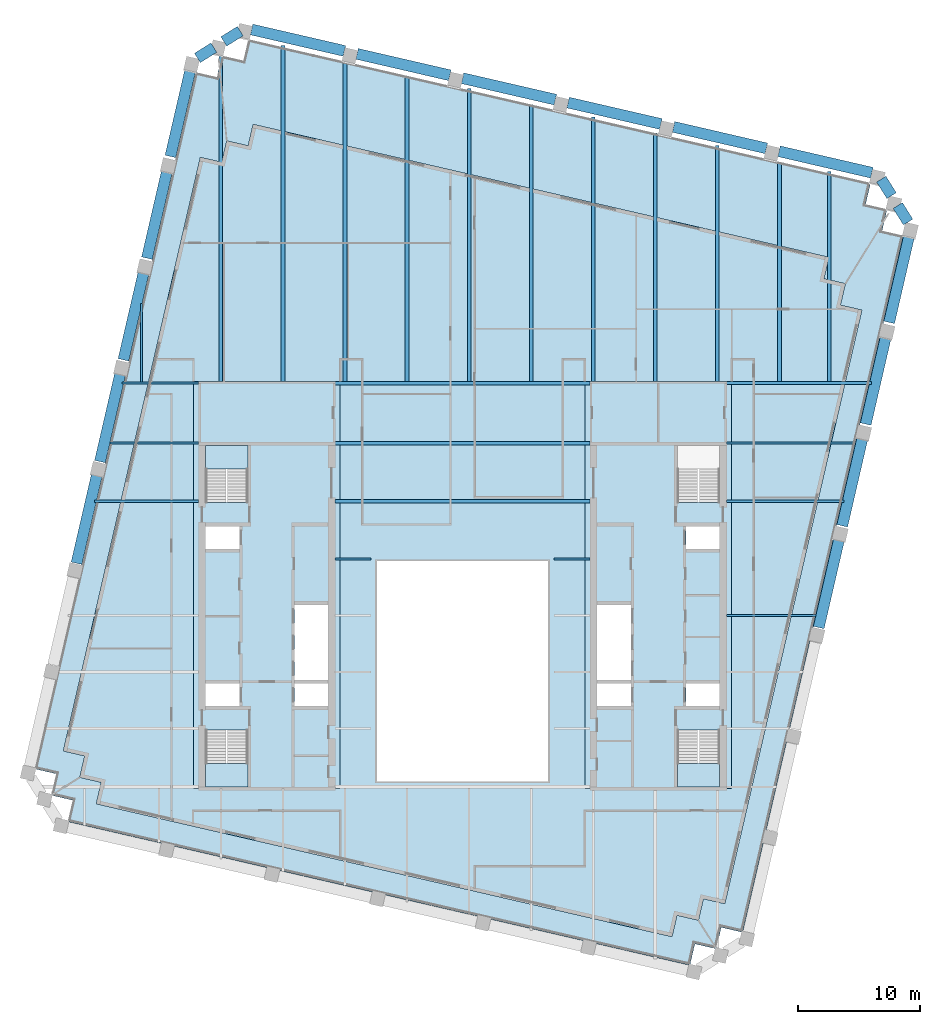
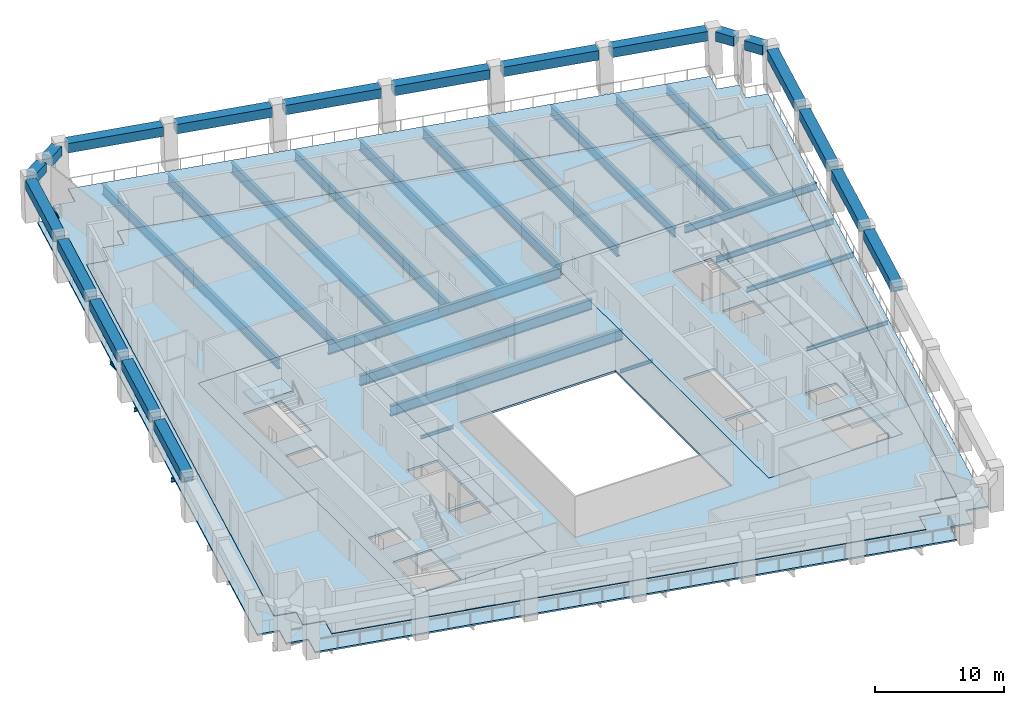
# One storey, part 2 of 10: 43 beams, 7 slabs, 3 elements without a shape of their own.
"""IFC4 building model written with IfcOpenShell, lengths in metres."""

import ifcopenshell
import ifcopenshell.guid

model = None  # the IFC model being written
_history = None  # IfcOwnerHistory: only IFC2X3 demands one
_inside = {}  # id of a spatial element -> (the spatial element, [elements in it])
_under = {}  # id of a project, library or spatial element -> (it, [spatial elements below it])
_declared = {}  # id of a project -> (the project, [libraries it declares])
_typed = {}  # id of a type object -> (the type object, [elements of that type])
_made_of = {}  # id of a material, layer set ... -> (it, [elements and type objects made of it])


def new_model(schema):
    """Start an empty IFC model of exactly this schema.

    Asked for "IFC4X3", IfcOpenShell would pick the latest addendum, in which some entities
    have other attributes; the version numbers below select the first issue.
    IFC2X3 requires an IfcOwnerHistory on every rooted entity: one is made here for all.
    """
    global model, _history
    if schema == "IFC4X3":
        model = ifcopenshell.file(schema_version=(4, 3, 0, 0))
    else:
        model = ifcopenshell.file(schema=schema)
    _inside.clear()
    _under.clear()
    _declared.clear()
    _typed.clear()
    _made_of.clear()
    _history = None
    if model.schema == "IFC2X3":
        org = make("IfcOrganization", Name="unknown")
        user = make(
            "IfcPersonAndOrganization",
            ThePerson=make("IfcPerson", FamilyName="unknown"),
            TheOrganization=org,
        )
        app = make(
            "IfcApplication",
            ApplicationDeveloper=org,
            Version="unknown",
            ApplicationFullName="unknown",
            ApplicationIdentifier="unknown",
        )
        _history = make(
            "IfcOwnerHistory",
            OwningUser=user,
            OwningApplication=app,
            ChangeAction="ADDED",
            CreationDate=0,
        )
    return model


def make(cls, **values):
    """One entity of the class cls with the attributes given. An attribute that is None is left unset."""
    return model.create_entity(
        cls, **{name: value for name, value in values.items() if value is not None}
    )


def rooted(cls, **values):
    """An entity with a GlobalId (a new one), such as an element, a storey or a relation."""
    return make(cls, GlobalId=ifcopenshell.guid.new(), OwnerHistory=_history, **values)


def si_unit(unit_type, name, prefix=None):
    """IfcSIUnit, for example si_unit("LENGTHUNIT", "METRE", prefix="MILLI")."""
    return make("IfcSIUnit", UnitType=unit_type, Prefix=prefix, Name=name)


def assignment(units):
    """IfcUnitAssignment: the units of a project."""
    return None if units is None else make("IfcUnitAssignment", Units=units)


def point(xyz):
    """IfcCartesianPoint."""
    return None if xyz is None else make("IfcCartesianPoint", Coordinates=xyz)


def direction(xyz):
    """IfcDirection."""
    return None if xyz is None else make("IfcDirection", DirectionRatios=xyz)


def frame(location, z_axis=None, x_axis=None):
    """IfcAxis2Placement3D, a coordinate frame: its origin and axes. An axis left out is left unset."""
    return make(
        "IfcAxis2Placement3D",
        Location=point(location),
        Axis=direction(z_axis),
        RefDirection=direction(x_axis),
    )


def frame_2d(location, x_axis=None):
    """IfcAxis2Placement2D, a coordinate frame in the plane: its origin and x axis."""
    return make(
        "IfcAxis2Placement2D", Location=point(location), RefDirection=direction(x_axis)
    )


def origin():
    """The frame at (0, 0, 0) with its axes left unset."""
    return frame((0.0, 0.0, 0.0))


def origin_2d():
    """The frame at (0, 0) in the plane with its x axis left unset."""
    return frame_2d((0.0, 0.0))


def place(relative_to, where):
    """IfcLocalPlacement: puts the frame where relative to a parent placement (None: the world)."""
    return make(
        "IfcLocalPlacement", PlacementRelTo=relative_to, RelativePlacement=where
    )


def context(
    kind, dimensions, precision=None, world=None, true_north=None, identifier=None
):
    """IfcGeometricRepresentationContext, for example the 3D "Model" context."""
    return make(
        "IfcGeometricRepresentationContext",
        ContextIdentifier=identifier,
        ContextType=kind,
        CoordinateSpaceDimension=dimensions,
        Precision=precision,
        WorldCoordinateSystem=world,
        TrueNorth=true_north,
    )


def subcontext(parent, identifier, kind, view, scale=None):
    """IfcGeometricRepresentationSubContext, for example "Body" below "Model"."""
    return make(
        "IfcGeometricRepresentationSubContext",
        ContextIdentifier=identifier,
        ContextType=kind,
        ParentContext=parent,
        TargetScale=scale,
        TargetView=view,
    )


def project(units=None, contexts=None):
    """IfcProject with its units and contexts."""
    return rooted(
        "IfcProject",
        Name="project",
        RepresentationContexts=contexts,
        UnitsInContext=assignment(units),
    )


def spatial(cls, under=None, at=None, **own):
    """A site, building, storey or space (cls), placed at a placement, below another one or the project."""
    s = rooted(cls, ObjectPlacement=at, **own)
    if under is not None:
        _under.setdefault(under.id(), (under, []))[1].append(s)
    return s


def polyline(points):
    """IfcPolyline through the points."""
    return make("IfcPolyline", Points=[point(p) for p in points])


def profile(cls, at=None, kind="AREA", **sizes):
    """A parametric profile (cls). Its sizes go by their IFC names, for example OverallWidth=200.0."""
    return make(cls, ProfileType=kind, Position=at, **sizes)


def rectangle(**sizes):
    """IfcRectangleProfileDef."""
    return profile("IfcRectangleProfileDef", **sizes)


def i_section(**sizes):
    """IfcIShapeProfileDef."""
    return profile("IfcIShapeProfileDef", **sizes)


def outline(outer, holes=None, kind="AREA"):
    """IfcArbitraryClosedProfileDef: a profile drawn as a closed curve; with holes, ...WithVoids."""
    if holes is None:
        return make("IfcArbitraryClosedProfileDef", ProfileType=kind, OuterCurve=outer)
    return make(
        "IfcArbitraryProfileDefWithVoids",
        ProfileType=kind,
        OuterCurve=outer,
        InnerCurves=holes,
    )


def extrude(swept, where, along, depth):
    """IfcExtrudedAreaSolid: the profile swept, set in the frame where, extruded along a direction by depth."""
    return make(
        "IfcExtrudedAreaSolid",
        SweptArea=swept,
        Position=where,
        ExtrudedDirection=direction(along),
        Depth=depth,
    )


def shape(context_of_items, identifier, shape_type, items):
    """IfcShapeRepresentation: the items that make up one representation, for example the "Body"."""
    return make(
        "IfcShapeRepresentation",
        ContextOfItems=context_of_items,
        RepresentationIdentifier=identifier,
        RepresentationType=shape_type,
        Items=items,
    )


def material(Name=None, Category=None):
    """IfcMaterial."""
    return make("IfcMaterial", Name=Name, Category=Category)


def layer(
    of_material, thickness, ventilated=None, Name=None, Category=None, Priority=None
):
    """IfcMaterialLayer: one layer of a wall or slab, of a material (None: an air gap)."""
    return make(
        "IfcMaterialLayer",
        Material=of_material,
        LayerThickness=thickness,
        IsVentilated=ventilated,
        Name=Name,
        Category=Category,
        Priority=Priority,
    )


def layer_set(layers, Name=None):
    """IfcMaterialLayerSet."""
    return make("IfcMaterialLayerSet", MaterialLayers=layers, LayerSetName=Name)


def material_profile(
    of_material, cross_section, Name=None, Category=None, Priority=None
):
    """IfcMaterialProfile: a cross section and its material."""
    return make(
        "IfcMaterialProfile",
        Name=Name,
        Material=of_material,
        Profile=cross_section,
        Priority=Priority,
        Category=Category,
    )


def profile_set(profiles, Name=None, composite=None):
    """IfcMaterialProfileSet."""
    return make(
        "IfcMaterialProfileSet",
        Name=Name,
        MaterialProfiles=profiles,
        CompositeProfile=composite,
    )


def made_of(thing, what):
    """Note that an element or type object is made of a material, layer set ...; save() writes the relation."""
    if what is not None:
        _made_of.setdefault(what.id(), (what, []))[1].append(thing)
    return thing


def type_object(cls, material=None, **own):
    """A type object (cls), such as IfcWallType, which elements share."""
    return made_of(rooted(cls, **own), material)


def element(
    cls,
    number,
    at=None,
    inside=None,
    cuts=None,
    type_object=None,
    material=None,
    context=None,
    identifier="Body",
    shape_type=None,
    held_by="IfcProductDefinitionShape",
    body=None,
    shapes=None,
    **own,
):
    """One element of the class cls, such as IfcWall. Its Tag is "e" and its number.

    at: its placement. inside: the storey or other place that contains it. cuts: it is an
    opening in that element (IfcRelVoidsElement). A single representation is given by context,
    identifier, shape_type and body (its items); several are given by shapes. held_by: the class
    of the entity that holds the representations. save() writes the other relations.
    """
    e = rooted(cls, Tag="e%d" % number, ObjectPlacement=at, **own)
    if body is not None:
        shapes = [shape(context, identifier, shape_type, body)]
    if shapes is not None:
        e.Representation = make(held_by, Representations=shapes)
    if inside is not None:
        _inside.setdefault(inside.id(), (inside, []))[1].append(e)
    if cuts is not None:
        rooted(
            "IfcRelVoidsElement", RelatingBuildingElement=cuts, RelatedOpeningElement=e
        )
    if type_object is not None:
        _typed.setdefault(type_object.id(), (type_object, []))[1].append(e)
    return made_of(e, material)


def aggregate(whole, parts):
    """IfcRelAggregates: a whole, such as a stair, and the parts it consists of."""
    return rooted("IfcRelAggregates", RelatingObject=whole, RelatedObjects=parts)


def save(model, path):
    """Write the relations noted so far, then the file.

    IfcRelAggregates (storeys below a building ...), IfcRelContainedInSpatialStructure (elements
    in a storey), IfcRelDefinesByType, IfcRelAssociatesMaterial and IfcRelDeclares: one each for
    every whole, place, type object, material and project.
    """
    for whole, parts in _under.values():
        aggregate(whole, parts)
    for where, things in _inside.values():
        rooted(
            "IfcRelContainedInSpatialStructure",
            RelatedElements=things,
            RelatingStructure=where,
        )
    for kind, things in _typed.values():
        rooted("IfcRelDefinesByType", RelatedObjects=things, RelatingType=kind)
    for what, things in _made_of.values():
        rooted("IfcRelAssociatesMaterial", RelatedObjects=things, RelatingMaterial=what)
    for by, libraries in _declared.values():
        rooted("IfcRelDeclares", RelatingContext=by, RelatedDefinitions=libraries)
    model.write(path)


model = new_model("IFC4")

# Units and contexts
model_context = context("Model", 3, precision=1e-05, world=origin(), true_north=direction((0.0, 1.0)))
body_context = subcontext(model_context, "Body", "Model", "MODEL_VIEW")
ifc_project = project(units=[si_unit("LENGTHUNIT", "METRE"), si_unit("AREAUNIT", "SQUARE_METRE"), si_unit("VOLUMEUNIT", "CUBIC_METRE"), si_unit("PLANEANGLEUNIT", "RADIAN"), si_unit("MASSUNIT", "GRAM", prefix="KILO")], contexts=[model_context])

# Site, building, storey
site_placement = place(None, origin())
site = spatial("IfcSite", under=ifc_project, at=site_placement, CompositionType="ELEMENT")
building_placement = place(site_placement, origin())
building = spatial("IfcBuilding", under=site, at=building_placement, Name="Ogive Exchange Tower", CompositionType="ELEMENT")
storey_placement = place(building_placement, frame((0.0, 0.0, 289.199951171875)))
storey = spatial("IfcBuildingStorey", under=building, at=storey_placement, Name="L63", CompositionType="ELEMENT", Elevation=289.199951171875)

# Beams
ifc_material_1 = material(Name="Steel ASTM A992 Gr50", Category="steel")
ifc_material_profile_1 = material_profile(ifc_material_1, i_section(OverallWidth=0.300048828125, OverallDepth=0.969970703125, WebThickness=0.01611328125, FlangeThickness=0.02099609375, at=origin_2d()), Name="W1000x222")
ifc_profile_set_1 = profile_set([ifc_material_profile_1], Name="Steel ASTM A992 Gr50")
beam_type_1 = type_object("IfcBeamType", Name="Floor beam W1000x222", PredefinedType="JOIST", material=ifc_profile_set_1)
beam_1_placement = place(storey_placement, frame((15.75341796875, 30.699951171875, -0.68505859375), z_axis=(0.0, 1.0, 0.0), x_axis=(-1.0, 0.0, 0.0)))
element("IfcBeam", 1, at=beam_1_placement, inside=storey, type_object=beam_type_1, Name="Floor beam", PredefinedType="JOIST", context=body_context, shape_type="SweptSolid", body=[
    extrude(i_section(OverallWidth=0.300048828125, OverallDepth=0.969970703125, WebThickness=0.01611328125, FlangeThickness=0.02099609375, at=origin_2d()), origin(), (0.0, 0.0, 1.0), 20.284423828125),
])
ifc_material_profile_2 = material_profile(ifc_material_1, i_section(OverallWidth=0.300048828125, OverallDepth=0.97998046875, WebThickness=0.0166015625, FlangeThickness=0.026123046875, at=origin_2d()), Name="W1000x249")
ifc_profile_set_2 = profile_set([ifc_material_profile_2], Name="Steel ASTM A992 Gr50")
beam_type_2 = type_object("IfcBeamType", Name="Floor beam W1000x249", PredefinedType="JOIST", material=ifc_profile_set_2)
for number, where, z_axis, x_axis, name in (
    (2, (-10.419921875, 20.89990234375, -0.68994140625), (1.0, 0.0, 0.0), (0.0, 1.0, 0.0), "Floor beam"),
    (3, (-10.419921875, 25.64501953125, -0.68994140625), (1.0, 0.0, 0.0), (0.0, 1.0, 0.0), "Floor beam"),
):
    element("IfcBeam", number, at=place(storey_placement, frame(where, z_axis=z_axis, x_axis=x_axis)), inside=storey, type_object=beam_type_2, Name=name, PredefinedType="JOIST", context=body_context, shape_type="SweptSolid", body=[
        extrude(i_section(OverallWidth=0.300048828125, OverallDepth=0.97998046875, WebThickness=0.0166015625, FlangeThickness=0.026123046875, at=origin_2d()), origin(), (0.0, 0.0, 1.0), 20.83984375),
    ])
beam_2_placement = place(storey_placement, frame((-19.759033203125, 30.699951171875, -0.68994140625), z_axis=(0.0, 1.0, 0.0), x_axis=(-1.0, 0.0, 0.0)))
element("IfcBeam", 4, at=beam_2_placement, inside=storey, type_object=beam_type_2, Name="Floor beam", PredefinedType="JOIST", context=body_context, shape_type="SweptSolid", body=[
    extrude(i_section(OverallWidth=0.300048828125, OverallDepth=0.97998046875, WebThickness=0.0166015625, FlangeThickness=0.026123046875, at=origin_2d()), origin(), (0.0, 0.0, 1.0), 26.68310546875),
])
beam_3_placement = place(storey_placement, frame((-14.685791015625, 30.699951171875, -0.68994140625), z_axis=(0.0, 1.0, 0.0), x_axis=(-1.0, 0.0, 0.0)))
element("IfcBeam", 5, at=beam_3_placement, inside=storey, type_object=beam_type_2, Name="Floor beam", PredefinedType="JOIST", context=body_context, shape_type="SweptSolid", body=[
    extrude(i_section(OverallWidth=0.300048828125, OverallDepth=0.97998046875, WebThickness=0.0166015625, FlangeThickness=0.026123046875, at=origin_2d()), origin(), (0.0, 0.0, 1.0), 27.461669921875),
])
beam_4_placement = place(storey_placement, frame((-9.61279296875, 30.695068359375, -0.68994140625), z_axis=(0.0, 1.0, 0.0), x_axis=(-1.0, 0.0, 0.0)))
element("IfcBeam", 6, at=beam_4_placement, inside=storey, type_object=beam_type_2, Name="Floor beam", PredefinedType="JOIST", context=body_context, shape_type="SweptSolid", body=[
    extrude(i_section(OverallWidth=0.300048828125, OverallDepth=0.97998046875, WebThickness=0.0166015625, FlangeThickness=0.026123046875, at=origin_2d()), origin(), (0.0, 0.0, 1.0), 26.1455078125),
])
beam_5_placement = place(storey_placement, frame((-4.53955078125, 30.695068359375, -0.68994140625), z_axis=(0.0, 1.0, 0.0), x_axis=(-1.0, 0.0, 0.0)))
element("IfcBeam", 7, at=beam_5_placement, inside=storey, type_object=beam_type_2, Name="Floor beam", PredefinedType="JOIST", context=body_context, shape_type="SweptSolid", body=[
    extrude(i_section(OverallWidth=0.300048828125, OverallDepth=0.97998046875, WebThickness=0.0166015625, FlangeThickness=0.026123046875, at=origin_2d()), origin(), (0.0, 0.0, 1.0), 24.97412109375),
])
beam_6_placement = place(storey_placement, frame((0.53369140625, 30.695068359375, -0.68994140625), z_axis=(0.0, 1.0, 0.0), x_axis=(-1.0, 0.0, 0.0)))
element("IfcBeam", 8, at=beam_6_placement, inside=storey, type_object=beam_type_2, Name="Floor beam", PredefinedType="JOIST", context=body_context, shape_type="SweptSolid", body=[
    extrude(i_section(OverallWidth=0.300048828125, OverallDepth=0.97998046875, WebThickness=0.0166015625, FlangeThickness=0.026123046875, at=origin_2d()), origin(), (0.0, 0.0, 1.0), 23.952880859375),
])
beam_7_placement = place(storey_placement, frame((5.60693359375, 30.695068359375, -0.68994140625), z_axis=(0.0, 1.0, 0.0), x_axis=(-1.0, 0.0, 0.0)))
element("IfcBeam", 9, at=beam_7_placement, inside=storey, type_object=beam_type_2, Name="Floor beam", PredefinedType="JOIST", context=body_context, shape_type="SweptSolid", body=[
    extrude(i_section(OverallWidth=0.300048828125, OverallDepth=0.97998046875, WebThickness=0.0166015625, FlangeThickness=0.026123046875, at=origin_2d()), origin(), (0.0, 0.0, 1.0), 22.6318359375),
])
beam_8_placement = place(storey_placement, frame((10.68017578125, 30.699951171875, -0.68994140625), z_axis=(0.0, 1.0, 0.0), x_axis=(-1.0, 0.0, 0.0)))
element("IfcBeam", 10, at=beam_8_placement, inside=storey, type_object=beam_type_2, Name="Floor beam", PredefinedType="JOIST", context=body_context, shape_type="SweptSolid", body=[
    extrude(i_section(OverallWidth=0.300048828125, OverallDepth=0.97998046875, WebThickness=0.0166015625, FlangeThickness=0.026123046875, at=origin_2d()), origin(), (0.0, 0.0, 1.0), 21.60546875),
])
ifc_material_profile_3 = material_profile(ifc_material_1, i_section(OverallWidth=0.1650390625, OverallDepth=0.31005859375, WebThickness=0.005859375, FlangeThickness=0.009765625, at=origin_2d()), Name="W310x38.7")
ifc_profile_set_3 = profile_set([ifc_material_profile_3], Name="Steel ASTM A992 Gr50")
beam_type_3 = type_object("IfcBeamType", Name="Floor beam W310x38.7", PredefinedType="JOIST", material=ifc_profile_set_3)
beam_9_placement = place(storey_placement, frame((-26.232421875, 30.630615234375, -0.35498046875), z_axis=(0.0, 1.0, 0.0), x_axis=(-1.0, 0.0, 0.0)))
element("IfcBeam", 11, at=beam_9_placement, inside=storey, type_object=beam_type_3, Name="Floor beam", PredefinedType="JOIST", context=body_context, shape_type="SweptSolid", body=[
    extrude(i_section(OverallWidth=0.1650390625, OverallDepth=0.31005859375, WebThickness=0.005859375, FlangeThickness=0.009765625, at=origin_2d()), origin(), (0.0, 0.0, 1.0), 6.423583984375),
])
ifc_material_profile_4 = material_profile(ifc_material_1, i_section(OverallWidth=0.1708984375, OverallDepth=0.35595703125, WebThickness=0.00732421875, FlangeThickness=0.01171875, at=origin_2d()), Name="W360x51")
ifc_profile_set_4 = profile_set([ifc_material_profile_4], Name="Steel ASTM A992 Gr50")
beam_type_4 = type_object("IfcBeamType", Name="Floor beam W360x51", PredefinedType="JOIST", material=ifc_profile_set_4)
beam_10_placement = place(storey_placement, frame((21.580078125, 11.543701171875, -0.3779296875), z_axis=(1.0, 0.0, 0.0), x_axis=(0.0, 1.0, 0.0)))
element("IfcBeam", 12, at=beam_10_placement, inside=storey, type_object=beam_type_4, Name="Floor beam", PredefinedType="JOIST", context=body_context, shape_type="SweptSolid", body=[
    extrude(i_section(OverallWidth=0.1708984375, OverallDepth=0.35595703125, WebThickness=0.00732421875, FlangeThickness=0.01171875, at=origin_2d()), origin(), (0.0, 0.0, 1.0), 7.295166015625),
])
beam_11_placement = place(storey_placement, frame((-28.831787109375, 25.64501953125, -0.3779296875), z_axis=(1.0, 0.0, 0.0), x_axis=(0.0, 1.0, 0.0)))
element("IfcBeam", 13, at=beam_11_placement, inside=storey, type_object=beam_type_4, Name="Floor beam", PredefinedType="JOIST", context=body_context, shape_type="SweptSolid", body=[
    extrude(i_section(OverallWidth=0.1708984375, OverallDepth=0.35595703125, WebThickness=0.00732421875, FlangeThickness=0.01171875, at=origin_2d()), origin(), (0.0, 0.0, 1.0), 7.251708984375),
])
ifc_material_profile_5 = material_profile(ifc_material_1, i_section(OverallWidth=0.177978515625, OverallDepth=0.406005859375, WebThickness=0.0078125, FlangeThickness=0.0126953125, at=origin_2d()), Name="W410x60")
ifc_profile_set_5 = profile_set([ifc_material_profile_5], Name="Steel ASTM A992 Gr50")
beam_type_5 = type_object("IfcBeamType", Name="Floor beam W410x60", PredefinedType="JOIST", material=ifc_profile_set_5)
beam_12_placement = place(storey_placement, frame((-30.0771484375, 20.89990234375, -0.40283203125), z_axis=(1.0, 0.0, 0.0), x_axis=(0.0, 1.0, 0.0)))
element("IfcBeam", 14, at=beam_12_placement, inside=storey, type_object=beam_type_5, Name="Floor beam", PredefinedType="JOIST", context=body_context, shape_type="SweptSolid", body=[
    extrude(i_section(OverallWidth=0.177978515625, OverallDepth=0.406005859375, WebThickness=0.0078125, FlangeThickness=0.0126953125, at=origin_2d()), origin(), (0.0, 0.0, 1.0), 8.4970703125),
])
ifc_material_profile_6 = material_profile(ifc_material_1, i_section(OverallWidth=0.19189453125, OverallDepth=0.4619140625, WebThickness=0.010498046875, FlangeThickness=0.017578125, at=origin_2d()), Name="W460x89")
ifc_profile_set_6 = profile_set([ifc_material_profile_6], Name="Steel ASTM A992 Gr50")
beam_type_6 = type_object("IfcBeamType", Name="Floor beam W460x89", PredefinedType="JOIST", material=ifc_profile_set_6)
beam_13_placement = place(storey_placement, frame((21.580078125, 20.89990234375, -0.430908203125), z_axis=(1.0, 0.0, 0.0), x_axis=(0.0, 1.0, 0.0)))
element("IfcBeam", 15, at=beam_13_placement, inside=storey, type_object=beam_type_6, Name="Floor beam", PredefinedType="JOIST", context=body_context, shape_type="SweptSolid", body=[
    extrude(i_section(OverallWidth=0.19189453125, OverallDepth=0.4619140625, WebThickness=0.010498046875, FlangeThickness=0.017578125, at=origin_2d()), origin(), (0.0, 0.0, 1.0), 9.605224609375),
])
ifc_material_profile_7 = material_profile(ifc_material_1, i_section(OverallWidth=0.1669921875, OverallDepth=0.535888671875, WebThickness=0.01025390625, FlangeThickness=0.0166015625, at=origin_2d()), Name="W530x85")
ifc_profile_set_7 = profile_set([ifc_material_profile_7], Name="Steel ASTM A992 Gr50")
beam_type_7 = type_object("IfcBeamType", Name="Floor beam W530x85", PredefinedType="JOIST", material=ifc_profile_set_7)
beam_14_placement = place(storey_placement, frame((21.580078125, 25.64501953125, -0.468017578125), z_axis=(1.0, 0.0, 0.0), x_axis=(0.0, 1.0, 0.0)))
element("IfcBeam", 16, at=beam_14_placement, inside=storey, type_object=beam_type_7, Name="Floor beam", PredefinedType="JOIST", context=body_context, shape_type="SweptSolid", body=[
    extrude(i_section(OverallWidth=0.1669921875, OverallDepth=0.535888671875, WebThickness=0.01025390625, FlangeThickness=0.0166015625, at=origin_2d()), origin(), (0.0, 0.0, 1.0), 10.55078125),
])
ifc_material_profile_8 = material_profile(ifc_material_1, i_section(OverallWidth=0.2919921875, OverallDepth=0.8359375, WebThickness=0.013916015625, FlangeThickness=0.018798828125, at=origin_2d()), Name="W840x176")
ifc_profile_set_8 = profile_set([ifc_material_profile_8], Name="Steel ASTM A992 Gr50")
beam_type_8 = type_object("IfcBeamType", Name="Floor beam W840x176", PredefinedType="JOIST", material=ifc_profile_set_8)
beam_15_placement = place(storey_placement, frame((29.972900390625, 30.672119140625, -0.617919921875), z_axis=(0.0, 1.0, 0.0), x_axis=(-1.0, 0.0, 0.0)))
element("IfcBeam", 17, at=beam_15_placement, inside=storey, type_object=beam_type_8, Name="Floor beam", PredefinedType="JOIST", context=body_context, shape_type="SweptSolid", body=[
    extrude(i_section(OverallWidth=0.2919921875, OverallDepth=0.8359375, WebThickness=0.013916015625, FlangeThickness=0.018798828125, at=origin_2d()), origin(), (0.0, 0.0, 1.0), 17.17919921875),
])
ifc_material_profile_9 = material_profile(ifc_material_1, i_section(OverallWidth=0.304931640625, OverallDepth=0.904052734375, WebThickness=0.01513671875, FlangeThickness=0.02001953125, at=origin_2d()), Name="W920x201")
ifc_profile_set_9 = profile_set([ifc_material_profile_9], Name="Steel ASTM A992 Gr50")
beam_type_9 = type_object("IfcBeamType", Name="Floor beam W920x201", PredefinedType="JOIST", material=ifc_profile_set_9)
beam_16_placement = place(storey_placement, frame((25.89990234375, 30.672119140625, -0.65185546875), z_axis=(0.0, 1.0, 0.0), x_axis=(-1.0, 0.0, 0.0)))
element("IfcBeam", 18, at=beam_16_placement, inside=storey, type_object=beam_type_9, Name="Floor beam", PredefinedType="JOIST", context=body_context, shape_type="SweptSolid", body=[
    extrude(i_section(OverallWidth=0.304931640625, OverallDepth=0.904052734375, WebThickness=0.01513671875, FlangeThickness=0.02001953125, at=origin_2d()), origin(), (0.0, 0.0, 1.0), 17.9697265625),
])
ifc_material_profile_10 = material_profile(ifc_material_1, i_section(OverallWidth=0.304931640625, OverallDepth=0.9189453125, WebThickness=0.017333984375, FlangeThickness=0.02783203125, at=origin_2d()), Name="W920x253")
ifc_profile_set_10 = profile_set([ifc_material_profile_10], Name="Steel ASTM A992 Gr50")
beam_type_10 = type_object("IfcBeamType", Name="Floor beam W920x253", PredefinedType="JOIST", material=ifc_profile_set_10)
beam_17_placement = place(storey_placement, frame((20.82666015625, 30.699951171875, -0.659423828125), z_axis=(0.0, 1.0, 0.0), x_axis=(-1.0, 0.0, 0.0)))
element("IfcBeam", 19, at=beam_17_placement, inside=storey, type_object=beam_type_10, Name="Floor beam", PredefinedType="JOIST", context=body_context, shape_type="SweptSolid", body=[
    extrude(i_section(OverallWidth=0.304931640625, OverallDepth=0.9189453125, WebThickness=0.017333984375, FlangeThickness=0.02783203125, at=origin_2d()), origin(), (0.0, 0.0, 1.0), 19.262939453125),
])
ifc_material_profile_11 = material_profile(ifc_material_1, i_section(OverallWidth=0.300048828125, OverallDepth=0.97998046875, WebThickness=0.0166015625, FlangeThickness=0.026123046875, at=origin_2d()), Name="W1000x249")
ifc_profile_set_11 = profile_set([ifc_material_profile_11], Name="Steel ASTM A992 Gr50")
beam_type_11 = type_object("IfcBeamType", Name="Girder W1000x249", PredefinedType="BEAM", material=ifc_profile_set_11)
beam_18_placement = place(storey_placement, frame((-10.419921875, 30.544921875, -0.68994140625), z_axis=(1.0, 0.0, 0.0), x_axis=(0.0, 1.0, 0.0)))
element("IfcBeam", 20, at=beam_18_placement, inside=storey, type_object=beam_type_11, Name="Header girder", PredefinedType="BEAM", context=body_context, shape_type="SweptSolid", body=[
    extrude(i_section(OverallWidth=0.300048828125, OverallDepth=0.97998046875, WebThickness=0.0166015625, FlangeThickness=0.026123046875, at=origin_2d()), origin(), (0.0, 0.0, 1.0), 20.83984375),
])
ifc_material_profile_12 = material_profile(ifc_material_1, i_section(OverallWidth=0.1650390625, OverallDepth=0.31005859375, WebThickness=0.005859375, FlangeThickness=0.009765625, at=origin_2d()), Name="W310x38.7")
ifc_profile_set_12 = profile_set([ifc_material_profile_12], Name="Steel ASTM A992 Gr50")
beam_type_12 = type_object("IfcBeamType", Name="Girder W310x38.7", PredefinedType="BEAM", material=ifc_profile_set_12)
for number, where, z_axis, x_axis, name in (
    (21, (-10.419921875, 16.155029296875, -0.35498046875), (1.0, 0.0, 0.0), (0.0, 1.0, 0.0), "Trimmer girder"),
    (22, (7.469970703125, 16.155029296875, -0.35498046875), (1.0, 0.0, 0.0), (0.0, 1.0, 0.0), "Trimmer girder"),
):
    element("IfcBeam", number, at=place(storey_placement, frame(where, z_axis=z_axis, x_axis=x_axis)), inside=storey, type_object=beam_type_12, Name=name, PredefinedType="BEAM", context=body_context, shape_type="SweptSolid", body=[
        extrude(i_section(OverallWidth=0.1650390625, OverallDepth=0.31005859375, WebThickness=0.005859375, FlangeThickness=0.009765625, at=origin_2d()), origin(), (0.0, 0.0, 1.0), 2.949951171875),
    ])
ifc_material_profile_13 = material_profile(ifc_material_1, i_section(OverallWidth=0.1708984375, OverallDepth=0.35595703125, WebThickness=0.00732421875, FlangeThickness=0.01171875, at=origin_2d()), Name="W360x51")
ifc_profile_set_13 = profile_set([ifc_material_profile_13], Name="Steel ASTM A992 Gr50")
beam_type_13 = type_object("IfcBeamType", Name="Girder W360x51", PredefinedType="BEAM", material=ifc_profile_set_13)
beam_19_placement = place(storey_placement, frame((-27.850341796875, 30.544921875, -0.3779296875), z_axis=(1.0, 0.0, 0.0), x_axis=(0.0, 1.0, 0.0)))
element("IfcBeam", 23, at=beam_19_placement, inside=storey, type_object=beam_type_13, Name="Header girder", PredefinedType="BEAM", context=body_context, shape_type="SweptSolid", body=[
    extrude(i_section(OverallWidth=0.1708984375, OverallDepth=0.35595703125, WebThickness=0.00732421875, FlangeThickness=0.01171875, at=origin_2d()), origin(), (0.0, 0.0, 1.0), 6.270263671875),
])
ifc_material_profile_14 = material_profile(ifc_material_1, i_section(OverallWidth=0.25390625, OverallDepth=0.677978515625, WebThickness=0.01171875, FlangeThickness=0.016357421875, at=origin_2d()), Name="W690x125")
ifc_profile_set_14 = profile_set([ifc_material_profile_14], Name="Steel ASTM A992 Gr50")
beam_type_14 = type_object("IfcBeamType", Name="Girder W690x125", PredefinedType="BEAM", material=ifc_profile_set_14)
beam_20_placement = place(storey_placement, frame((21.580078125, 30.544921875, -0.5390625), z_axis=(1.0, 0.0, 0.0), x_axis=(0.0, 1.0, 0.0)))
element("IfcBeam", 24, at=beam_20_placement, inside=storey, type_object=beam_type_14, Name="Header girder", PredefinedType="BEAM", context=body_context, shape_type="SweptSolid", body=[
    extrude(i_section(OverallWidth=0.25390625, OverallDepth=0.677978515625, WebThickness=0.01171875, FlangeThickness=0.016357421875, at=origin_2d()), origin(), (0.0, 0.0, 1.0), 11.83203125),
])
ifc_material_2 = material(Name="Precast concrete C70/85 (limestone faced)", Category="masonry")
ifc_material_profile_15 = material_profile(ifc_material_2, rectangle(XDim=0.89990234375, YDim=0.89990234375, at=origin_2d()), Name="900 x 900")
ifc_profile_set_15 = profile_set([ifc_material_profile_15], Name="Precast concrete C70/85 (limestone faced)")
beam_type_15 = type_object("IfcBeamType", Name="Precast spandrel 900 x 900 C70/85", PredefinedType="SPANDREL", material=ifc_profile_set_15)
for number, where, z_axis, x_axis, name in (
    (25, (29.113525390625, 10.5751953125, 3.5), (0.224945406986, 0.974371368563, 0.0), (-0.974371368563, 0.224945406986, 0.0), "Spandrel 12"),
    (26, (31.032958984375, 18.888916015625, 3.5), (0.224945406986, 0.974371368563, 0.0), (-0.974371368563, 0.224945406986, 0.0), "Spandrel 13"),
    (27, (32.952392578125, 27.20263671875, 3.5), (0.224945406986, 0.974371368563, 0.0), (-0.974371368563, 0.224945406986, 0.0), "Spandrel 14"),
    (28, (34.87158203125, 35.5166015625, 3.5), (0.224945406986, 0.974371368563, 0.0), (-0.974371368563, 0.224945406986, 0.0), "Spandrel 15"),
):
    element("IfcBeam", number, at=place(storey_placement, frame(where, z_axis=z_axis, x_axis=x_axis)), inside=storey, type_object=beam_type_15, Name=name, PredefinedType="SPANDREL", context=body_context, shape_type="SweptSolid", body=[
        extrude(rectangle(XDim=0.89990234375, YDim=0.89990234375, at=origin_2d()), origin(), (0.0, 0.0, 1.0), 7.472412109375),
    ])
for number, where, z_axis, x_axis, name in (
    (29, (36.418701171875, 43.718994140625, 3.5), (-0.529902320601, 0.848058683477, 0.0), (-0.848058683477, -0.529902320601, 0.0), "Spandrel 16"),
    (30, (35.069580078125, 45.8779296875, 3.5), (-0.529902320601, 0.848058683477, 0.0), (-0.848058683477, -0.529902320601, 0.0), "Spandrel 17"),
):
    element("IfcBeam", number, at=place(storey_placement, frame(where, z_axis=z_axis, x_axis=x_axis)), inside=storey, type_object=beam_type_15, Name=name, PredefinedType="SPANDREL", context=body_context, shape_type="SweptSolid", body=[
        extrude(rectangle(XDim=0.89990234375, YDim=0.89990234375, at=origin_2d()), origin(), (0.0, 0.0, 1.0), 1.590087890625),
    ])
for number, where, z_axis, x_axis, name in (
    (31, (33.45751953125, 47.750732421875, 3.5), (-0.974374818602, 0.224930462307, 0.0), (-0.224930462307, -0.974374818602, 0.0), "Spandrel 18"),
    (32, (24.834228515625, 49.741455078125, 3.5), (-0.974367949416, 0.224960216819, 0.0), (-0.224960216819, -0.974367949416, 0.0), "Spandrel 19"),
    (33, (16.211181640625, 51.732421875, 3.5), (-0.974374818602, 0.224930462307, 0.0), (-0.224930462307, -0.974374818602, 0.0), "Spandrel 20"),
    (34, (7.587890625, 53.72314453125, 3.5), (-0.974367949416, 0.224960216819, 0.0), (-0.224960216819, -0.974367949416, 0.0), "Spandrel 21"),
    (35, (-1.03515625, 55.7138671875, 3.5), (-0.974367949416, 0.224960216819, 0.0), (-0.224960216819, -0.974367949416, 0.0), "Spandrel 22"),
    (36, (-9.658447265625, 57.704833984375, 3.5), (-0.974374818602, 0.224930462307, 0.0), (-0.224930462307, -0.974374818602, 0.0), "Spandrel 23"),
):
    element("IfcBeam", number, at=place(storey_placement, frame(where, z_axis=z_axis, x_axis=x_axis)), inside=storey, type_object=beam_type_15, Name=name, PredefinedType="SPANDREL", context=body_context, shape_type="SweptSolid", body=[
        extrude(rectangle(XDim=0.89990234375, YDim=0.89990234375, at=origin_2d()), origin(), (0.0, 0.0, 1.0), 7.7900390625),
    ])
beam_21_placement = place(storey_placement, frame((-18.17041015625, 59.322998046875, 3.5), z_axis=(-0.848127685634, -0.529791873155, 0.0), x_axis=(0.529791873155, -0.848127685634, 0.0)))
element("IfcBeam", 37, at=beam_21_placement, inside=storey, type_object=beam_type_15, Name="Spandrel 24", PredefinedType="SPANDREL", context=body_context, shape_type="SweptSolid", body=[
    extrude(rectangle(XDim=0.89990234375, YDim=0.89990234375, at=origin_2d()), origin(), (0.0, 0.0, 1.0), 1.58984375),
])
beam_22_placement = place(storey_placement, frame((-20.3291015625, 57.97412109375, 3.5), z_axis=(-0.848058683477, -0.529902320601, 0.0), x_axis=(0.529902320601, -0.848058683477, 0.0)))
element("IfcBeam", 38, at=beam_22_placement, inside=storey, type_object=beam_type_15, Name="Spandrel 25", PredefinedType="SPANDREL", context=body_context, shape_type="SweptSolid", body=[
    extrude(rectangle(XDim=0.89990234375, YDim=0.89990234375, at=origin_2d()), origin(), (0.0, 0.0, 1.0), 1.590087890625),
])
beam_23_placement = place(storey_placement, frame((-22.201904296875, 56.362060546875, 3.5), z_axis=(-0.224945406986, -0.974371368563, 0.0), x_axis=(0.974371368563, -0.224945406986, 0.0)))
element("IfcBeam", 39, at=beam_23_placement, inside=storey, type_object=beam_type_15, Name="Spandrel 26", PredefinedType="SPANDREL", context=body_context, shape_type="SweptSolid", body=[
    extrude(rectangle(XDim=0.89990234375, YDim=0.89990234375, at=origin_2d()), origin(), (0.0, 0.0, 1.0), 7.472412109375),
])
beam_24_placement = place(storey_placement, frame((-24.121337890625, 48.048095703125, 3.5), z_axis=(-0.224952568227, -0.974369715276, 0.0), x_axis=(0.974369715276, -0.224952568227, 0.0)))
element("IfcBeam", 40, at=beam_24_placement, inside=storey, type_object=beam_type_15, Name="Spandrel 27", PredefinedType="SPANDREL", context=body_context, shape_type="SweptSolid", body=[
    extrude(rectangle(XDim=0.89990234375, YDim=0.89990234375, at=origin_2d()), origin(), (0.0, 0.0, 1.0), 7.47216796875),
])
for number, where, z_axis, x_axis, name in (
    (41, (-26.040771484375, 39.734619140625, 3.5), (-0.224945406986, -0.974371368563, 0.0), (0.974371368563, -0.224945406986, 0.0), "Spandrel 28"),
    (42, (-27.960205078125, 31.420654296875, 3.5), (-0.224945406986, -0.974371368563, 0.0), (0.974371368563, -0.224945406986, 0.0), "Spandrel 29"),
    (43, (-29.87939453125, 23.10693359375, 3.5), (-0.224945406986, -0.974371368563, 0.0), (0.974371368563, -0.224945406986, 0.0), "Spandrel 30"),
):
    element("IfcBeam", number, at=place(storey_placement, frame(where, z_axis=z_axis, x_axis=x_axis)), inside=storey, type_object=beam_type_15, Name=name, PredefinedType="SPANDREL", context=body_context, shape_type="SweptSolid", body=[
        extrude(rectangle(XDim=0.89990234375, YDim=0.89990234375, at=origin_2d()), origin(), (0.0, 0.0, 1.0), 7.472412109375),
    ])

# Slabs
ifc_material_3 = material(Name="Concrete C50/60", Category="concrete")
ifc_layer_1 = layer(ifc_material_3, 0.199951171875)
ifc_layer_set_1 = layer_set([ifc_layer_1], Name="Composite floor slab 200")
slab_type_1 = type_object("IfcSlabType", Name="Composite floor slab 200", PredefinedType="FLOOR", material=ifc_layer_set_1)
slab_1_placement = place(storey_placement, frame((0.0, 0.0, -0.199951171875)))
element("IfcSlab", 44, at=slab_1_placement, inside=storey, type_object=slab_type_1, Name="Composite floor slab", PredefinedType="FLOOR", context=body_context, shape_type="SweptSolid", body=[
    extrude(outline(polyline([(-29.537109375, -2.0830078125), (-31.291015625, -1.67822265625), (-30.88623046875, 0.07568359375), (-32.64013671875, 0.480712890625), (-21.4375, 49.004150390625), (-19.68359375, 48.599365234375), (-19.27880859375, 50.353271484375), (-17.52490234375, 49.9482421875), (-17.119873046875, 51.7021484375), (29.942138671875, 40.8369140625), (29.537109375, 39.0830078125), (31.291015625, 38.67822265625), (30.88623046875, 36.92431640625), (32.64013671875, 36.519287109375), (21.4375, -12.004150390625), (19.68359375, -11.599365234375), (19.27880859375, -13.353271484375), (17.52490234375, -12.9482421875), (17.119873046875, -14.7021484375), (-29.942138671875, -3.8369140625), (-29.537109375, -2.0830078125)]), holes=[polyline([(7.0, -2.0), (7.0, 16.0), (-7.0, 16.0), (-7.0, -2.0), (7.0, -2.0)]), polyline([(-22.0, -2.60009765625), (-10.0, -2.60009765625), (-10.0, 30.699951171875), (-22.0, 30.699951171875), (-22.0, -2.60009765625)]), polyline([(10.0, -2.60009765625), (22.0, -2.60009765625), (22.0, 30.699951171875), (10.0, 30.699951171875), (10.0, -2.60009765625)])]), origin(), (0.0, 0.0, 1.0), 0.199951171875),
])
ifc_material_4 = material(Name="Concrete C70/85", Category="concrete")
ifc_layer_2 = layer(ifc_material_4, 0.199951171875)
ifc_layer_set_2 = layer_set([ifc_layer_2], Name="Core floor slab 200")
slab_type_2 = type_object("IfcSlabType", Name="Core floor slab 200", PredefinedType="FLOOR", material=ifc_layer_set_2)
slab_2_placement = place(storey_placement, frame((0.0, 0.0, -0.199951171875)))
element("IfcSlab", 45, at=slab_2_placement, inside=storey, type_object=slab_type_2, Name="Core floor slab", PredefinedType="FLOOR", context=body_context, shape_type="SweptSolid", body=[
    extrude(outline(polyline([(-22.0, -2.60009765625), (-22.0, 30.699951171875), (-10.0, 30.699951171875), (-10.0, -2.60009765625), (-22.0, -2.60009765625)]), holes=[polyline([(-17.550048828125, 2.196044921875), (-21.0, 2.196044921875), (-21.0, -2.449951171875), (-17.550048828125, -2.449951171875), (-17.550048828125, 2.196044921875)]), polyline([(-18.25, 5.992919921875), (-21.0, 5.992919921875), (-21.0, 4.14990234375), (-18.25, 4.14990234375), (-18.25, 5.992919921875)]), polyline([(-11.0, 5.992919921875), (-13.75, 5.992919921875), (-13.75, 4.14990234375), (-11.0, 4.14990234375), (-11.0, 5.992919921875)]), polyline([(-13.75, 12.42138671875), (-13.75, 6.29296875), (-11.0, 6.29296875), (-11.0, 12.42138671875), (-13.75, 12.42138671875)]), polyline([(-18.25, 18.85009765625), (-21.0, 18.85009765625), (-21.0, 17.007080078125), (-18.25, 17.007080078125), (-18.25, 18.85009765625)]), polyline([(-21.0, 25.449951171875), (-21.0, 20.803955078125), (-17.550048828125, 20.803955078125), (-17.550048828125, 25.449951171875), (-21.0, 25.449951171875)])]), origin(), (0.0, 0.0, 1.0), 0.199951171875),
])
slab_3_placement = place(storey_placement, frame((0.0, 0.0, -0.199951171875)))
element("IfcSlab", 46, at=slab_3_placement, inside=storey, type_object=slab_type_2, Name="Core floor slab", PredefinedType="FLOOR", context=body_context, shape_type="SweptSolid", body=[
    extrude(outline(polyline([(10.0, -2.60009765625), (10.0, 30.699951171875), (22.0, 30.699951171875), (22.0, -2.60009765625), (10.0, -2.60009765625)]), holes=[polyline([(21.0, 2.196044921875), (17.550048828125, 2.196044921875), (17.550048828125, -2.449951171875), (21.0, -2.449951171875), (21.0, 2.196044921875)]), polyline([(13.75, 5.992919921875), (11.0, 5.992919921875), (11.0, 4.14990234375), (13.75, 4.14990234375), (13.75, 5.992919921875)]), polyline([(21.0, 5.992919921875), (18.25, 5.992919921875), (18.25, 4.14990234375), (21.0, 4.14990234375), (21.0, 5.992919921875)]), polyline([(11.0, 12.42138671875), (11.0, 6.29296875), (13.75, 6.29296875), (13.75, 12.42138671875), (11.0, 12.42138671875)]), polyline([(21.0, 18.85009765625), (18.25, 18.85009765625), (18.25, 17.007080078125), (21.0, 17.007080078125), (21.0, 18.85009765625)]), polyline([(17.550048828125, 25.449951171875), (17.550048828125, 20.803955078125), (21.0, 20.803955078125), (21.0, 25.449951171875), (17.550048828125, 25.449951171875)])]), origin(), (0.0, 0.0, 1.0), 0.199951171875),
])
ifc_layer_3 = layer(ifc_material_3, 0.14990234375)
ifc_layer_set_3 = layer_set([ifc_layer_3], Name="Loggia deck 150")
slab_type_3 = type_object("IfcSlabType", Name="Loggia deck 150", PredefinedType="FLOOR", material=ifc_layer_set_3)
slab_4_placement = place(storey_placement, frame((0.0, 0.0, -0.199951171875)))
element("IfcSlab", 47, at=slab_4_placement, inside=storey, type_object=slab_type_3, Name="Loggia deck", PredefinedType="FLOOR", context=body_context, shape_type="SweptSolid", body=[
    extrude(outline(polyline([(-31.8759765625, -3.54443359375), (-33.6298828125, -3.1396484375), (-33.224853515625, -1.3857421875), (-34.978759765625, -0.980712890625), (-21.831298828125, 55.966796875), (-20.077392578125, 55.561767578125), (-19.672607421875, 57.315673828125), (-17.918701171875, 56.910888671875), (-17.513916015625, 58.66455078125), (33.348388671875, 46.922119140625), (32.943359375, 45.168212890625), (34.697265625, 44.763427734375), (34.29248046875, 43.009521484375), (36.046142578125, 42.6044921875), (22.89892578125, -14.343017578125), (21.14501953125, -13.93798828125), (20.739990234375, -15.69189453125), (18.986083984375, -15.286865234375), (18.581298828125, -17.040771484375), (-32.28076171875, -5.29833984375), (-31.8759765625, -3.54443359375)]), holes=[polyline([(17.52490234375, -12.9482421875), (19.27880859375, -13.353271484375), (19.68359375, -11.599365234375), (21.4375, -12.004150390625), (32.64013671875, 36.519287109375), (30.88623046875, 36.92431640625), (31.291015625, 38.67822265625), (29.537109375, 39.0830078125), (29.942138671875, 40.8369140625), (-17.119873046875, 51.7021484375), (-17.52490234375, 49.9482421875), (-19.27880859375, 50.353271484375), (-19.68359375, 48.599365234375), (-21.4375, 49.004150390625), (-32.64013671875, 0.480712890625), (-30.88623046875, 0.07568359375), (-31.291015625, -1.67822265625), (-29.537109375, -2.0830078125), (-29.942138671875, -3.8369140625), (17.119873046875, -14.7021484375), (17.52490234375, -12.9482421875)])]), origin(), (0.0, 0.0, 1.0), 0.14990234375),
])

# Stair, slab
ifc_material_5 = material(Name="Concrete C40/50", Category="concrete")
stair_type = type_object("IfcStairType", Name="Exit stair 1650 wide", PredefinedType="HALF_TURN_STAIR", material=ifc_material_5)
stair_1_placement = place(storey_placement, origin())
stair_1 = element("IfcStair", 48, at=stair_1_placement, inside=storey, type_object=stair_type, Name="L63 exit stair ST1", PredefinedType="HALF_TURN_STAIR")
ifc_layer_4 = layer(ifc_material_5, 0.199951171875)
ifc_layer_set_4 = layer_set([ifc_layer_4], Name="Stair landing 200 slab")
slab_type_4 = type_object("IfcSlabType", Name="Stair landing 200 slab", PredefinedType="LANDING", material=ifc_layer_set_4)
slab_5_placement = place(storey_placement, frame((0.0, 0.0, 1.900146484375)))
slab_5 = element("IfcSlab", 49, at=slab_5_placement, type_object=slab_type_4, Name="ST1 landing 1", PredefinedType="LANDING", context=body_context, shape_type="SweptSolid", body=[
    extrude(outline(polyline([(-21.0, -0.550048828125), (-21.0, -2.449951171875), (-17.550048828125, -2.449951171875), (-17.550048828125, -0.550048828125), (-21.0, -0.550048828125)])), origin(), (0.0, 0.0, 1.0), 0.199951171875),
])
aggregate(stair_1, [slab_5])

stair_2_placement = place(storey_placement, origin())
stair_2 = element("IfcStair", 50, at=stair_2_placement, inside=storey, type_object=stair_type, Name="L63 exit stair ST2", PredefinedType="HALF_TURN_STAIR")
slab_6_placement = place(storey_placement, frame((0.0, 0.0, 1.900146484375)))
slab_6 = element("IfcSlab", 51, at=slab_6_placement, type_object=slab_type_4, Name="ST2 landing 1", PredefinedType="LANDING", context=body_context, shape_type="SweptSolid", body=[
    extrude(outline(polyline([(-17.550048828125, 23.550048828125), (-17.550048828125, 25.449951171875), (-21.0, 25.449951171875), (-21.0, 23.550048828125), (-17.550048828125, 23.550048828125)])), origin(), (0.0, 0.0, 1.0), 0.199951171875),
])
aggregate(stair_2, [slab_6])

stair_3_placement = place(storey_placement, origin())
stair_3 = element("IfcStair", 52, at=stair_3_placement, inside=storey, type_object=stair_type, Name="L63 exit stair ST3", PredefinedType="HALF_TURN_STAIR")
slab_7_placement = place(storey_placement, frame((0.0, 0.0, 1.900146484375)))
slab_7 = element("IfcSlab", 53, at=slab_7_placement, type_object=slab_type_4, Name="ST3 landing 1", PredefinedType="LANDING", context=body_context, shape_type="SweptSolid", body=[
    extrude(outline(polyline([(17.550048828125, -0.550048828125), (17.550048828125, -2.449951171875), (21.0, -2.449951171875), (21.0, -0.550048828125), (17.550048828125, -0.550048828125)])), origin(), (0.0, 0.0, 1.0), 0.199951171875),
])
aggregate(stair_3, [slab_7])

save(model, "model.ifc")
